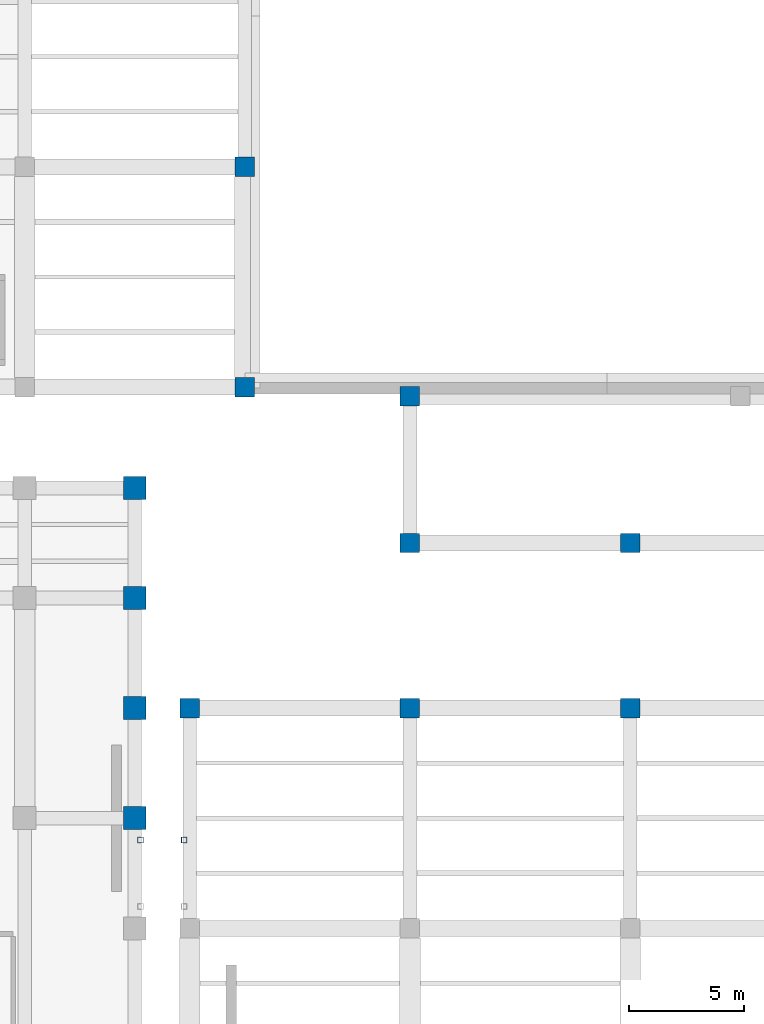
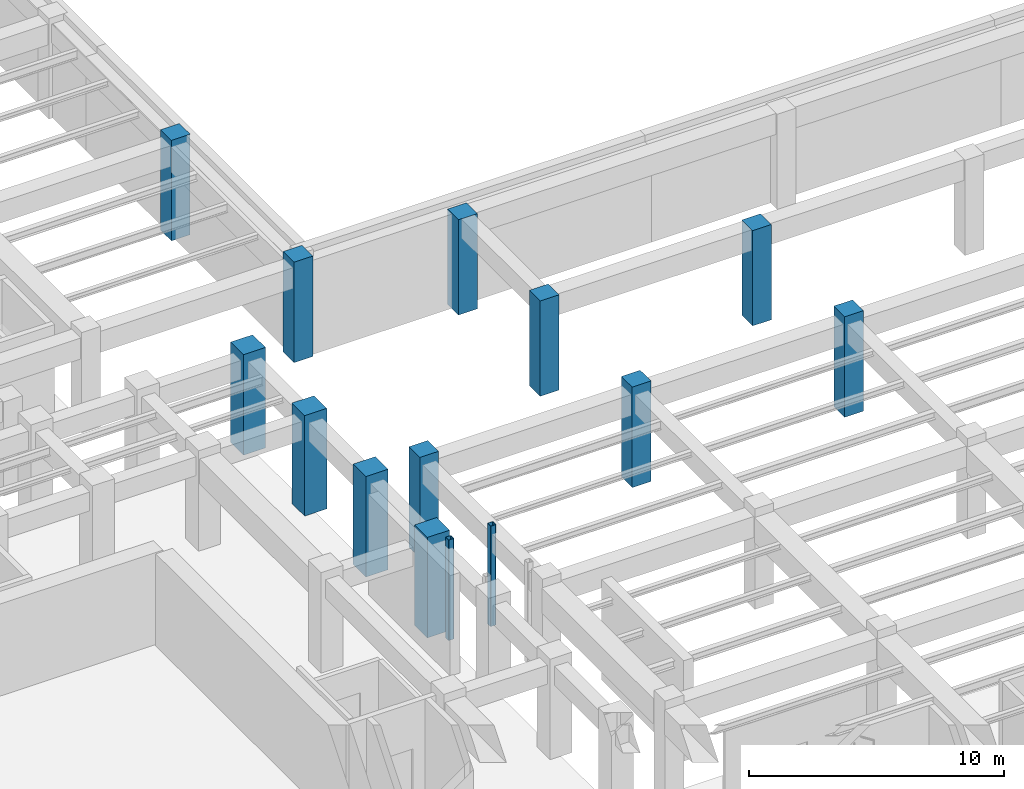
# One storey, part 9 of 45: 14 columns.
"""IFC4 building model written with IfcOpenShell, lengths in metres."""

from ifc_helpers import new_model, si_unit, direction, frame, origin, origin_2d, place, context, subcontext, project, spatial, rectangle, hollow_rectangle, extrude, material, material_profile, profile_set, type_object, element, save


model = new_model("IFC4")

# Units and contexts
model_context = context("Model", 3, precision=1e-05, world=origin(), true_north=direction((0.0, 1.0)))
body_context = subcontext(model_context, "Body", "Model", "MODEL_VIEW")
ifc_project = project(units=[si_unit("LENGTHUNIT", "METRE"), si_unit("AREAUNIT", "SQUARE_METRE"), si_unit("VOLUMEUNIT", "CUBIC_METRE"), si_unit("PLANEANGLEUNIT", "RADIAN"), si_unit("MASSUNIT", "GRAM", prefix="KILO")], contexts=[model_context])

# Site, building, storey
site_placement = place(None, origin())
site = spatial("IfcSite", under=ifc_project, at=site_placement, CompositionType="ELEMENT")
building_placement = place(site_placement, origin())
building = spatial("IfcBuilding", under=site, at=building_placement, Name="Mavantir Sound Aquarium", CompositionType="ELEMENT")
storey_placement = place(building_placement, frame((0.0, 0.0, -4.800048828125)))
storey = spatial("IfcBuildingStorey", under=building, at=storey_placement, Name="B1", CompositionType="ELEMENT", Elevation=-4.800048828125)

# Columns
ifc_material_1 = material(Name="Concrete C40/50", Category="concrete")
ifc_material_profile_1 = material_profile(ifc_material_1, rectangle(XDim=1.0, YDim=1.0, at=origin_2d()), Name="RC 1000X1000")
ifc_profile_set_1 = profile_set([ifc_material_profile_1], Name="Concrete C40/50")
column_type_1 = type_object("IfcColumnType", Name="COL-RC1000-I", PredefinedType="COLUMN", material=ifc_profile_set_1)
for number, where, z_axis, x_axis, name in (
    (1, (33.60009765625, 64.800048828125, 0.0), (0.0, 0.0, 1.0), (1.0, 0.0, 0.0), "B1 column RC-C10 (V1)"),
    (2, (33.60009765625, 69.60009765625, 0.0), (0.0, 0.0, 1.0), (1.0, 0.0, 0.0), "B1 column RC-C10 (V1)"),
    (3, (33.60009765625, 74.39990234375, 0.0), (0.0, 0.0, 1.0), (1.0, 0.0, 0.0), "B1 column RC-C10 (V1)"),
    (4, (33.60009765625, 79.199951171875, 0.0), (0.0, 0.0, 1.0), (1.0, 0.0, 0.0), "B1 column RC-C10 (V1)"),
):
    element("IfcColumn", number, at=place(storey_placement, frame(where, z_axis=z_axis, x_axis=x_axis)), inside=storey, type_object=column_type_1, Name=name, PredefinedType="COLUMN", context=body_context, shape_type="SweptSolid", body=[
        extrude(rectangle(XDim=1.0, YDim=1.0, at=origin_2d()), origin(), (0.0, 0.0, 1.0), 4.800048828125),
    ])
ifc_material_profile_2 = material_profile(ifc_material_1, rectangle(XDim=0.85009765625, YDim=0.85009765625, at=origin_2d()), Name="RC 850X850")
ifc_profile_set_2 = profile_set([ifc_material_profile_2], Name="Concrete C40/50")
column_type_2 = type_object("IfcColumnType", Name="COL-RC850-I", PredefinedType="COLUMN", material=ifc_profile_set_2)
for number, where, z_axis, x_axis, name in (
    (5, (36.0, 69.60009765625, 0.0), (0.0, 0.0, 1.0), (1.0, 0.0, 0.0), "B1 column RC-C85 (V2)"),
    (6, (45.60009765625, 69.60009765625, 0.0), (0.0, 0.0, 1.0), (1.0, 0.0, 0.0), "B1 column RC-C85 (V2)"),
    (7, (55.199951171875, 69.60009765625, 0.0), (0.0, 0.0, 1.0), (1.0, 0.0, 0.0), "B1 column RC-C85 (V2)"),
    (8, (38.39990234375, 83.60009765625, 0.0), (0.0, 0.0, 1.0), (1.0, 0.0, 0.0), "B1 column RC-C85 (V5)"),
    (9, (38.39990234375, 93.199951171875, 0.0), (0.0, 0.0, 1.0), (1.0, 0.0, 0.0), "B1 column RC-C85 (V5)"),
):
    element("IfcColumn", number, at=place(storey_placement, frame(where, z_axis=z_axis, x_axis=x_axis)), inside=storey, type_object=column_type_2, Name=name, PredefinedType="COLUMN", context=body_context, shape_type="SweptSolid", body=[
        extrude(rectangle(XDim=0.85009765625, YDim=0.85009765625, at=origin_2d()), origin(), (0.0, 0.0, 1.0), 4.800048828125),
    ])
for number, where, z_axis, x_axis, name in (
    (10, (45.60009765625, 76.800048828125, 0.0), (0.0, 0.0, 1.0), (1.0, 0.0, 0.0), "B1 column RC-C85 (COURT)"),
    (11, (55.199951171875, 76.800048828125, 0.0), (0.0, 0.0, 1.0), (1.0, 0.0, 0.0), "B1 column RC-C85 (COURT)"),
    (12, (45.60009765625, 83.199951171875, 0.0), (0.0, 0.0, 1.0), (1.0, 0.0, 0.0), "B1 column RC-C85 (COURT)"),
):
    element("IfcColumn", number, at=place(storey_placement, frame(where, z_axis=z_axis, x_axis=x_axis)), inside=storey, type_object=column_type_2, Name=name, PredefinedType="COLUMN", context=body_context, shape_type="SweptSolid", body=[
        extrude(rectangle(XDim=0.85009765625, YDim=0.85009765625, at=origin_2d()), origin(), (0.0, 0.0, 1.0), 4.550048828125),
    ])
ifc_material_2 = material(Name="Hollow Structural Steel ASTM A500 GrC", Category="steel")
ifc_material_profile_3 = material_profile(ifc_material_2, hollow_rectangle(XDim=0.25, YDim=0.25, WallThickness=0.012451171875, InnerFilletRadius=0.012451171875, OuterFilletRadius=0.02490234375, at=origin_2d()), Name="SHS 250X250X12.5")
ifc_profile_set_3 = profile_set([ifc_material_profile_3], Name="Hollow Structural Steel ASTM A500 GrC")
column_type_3 = type_object("IfcColumnType", Name="COL-SHS250-E", PredefinedType="COLUMN", material=ifc_profile_set_3)
for number, where, z_axis, x_axis, name in (
    (13, (33.85009765625, 63.85009765625, 0.0), (0.0, 0.0, 1.0), (1.0, 0.0, 0.0), "Bridge support column 1.2 (B1)"),
    (14, (35.75, 63.85009765625, 0.0), (0.0, 0.0, 1.0), (1.0, 0.0, 0.0), "Bridge support column 1.4 (B1)"),
):
    element("IfcColumn", number, at=place(storey_placement, frame(where, z_axis=z_axis, x_axis=x_axis)), inside=storey, type_object=column_type_3, Name=name, PredefinedType="COLUMN", context=body_context, shape_type="SweptSolid", body=[
        extrude(hollow_rectangle(XDim=0.25, YDim=0.25, WallThickness=0.012451171875, InnerFilletRadius=0.012451171875, OuterFilletRadius=0.02490234375, at=origin_2d()), origin(), (0.0, 0.0, 1.0), 4.800048828125),
    ])

save(model, "model.ifc")
